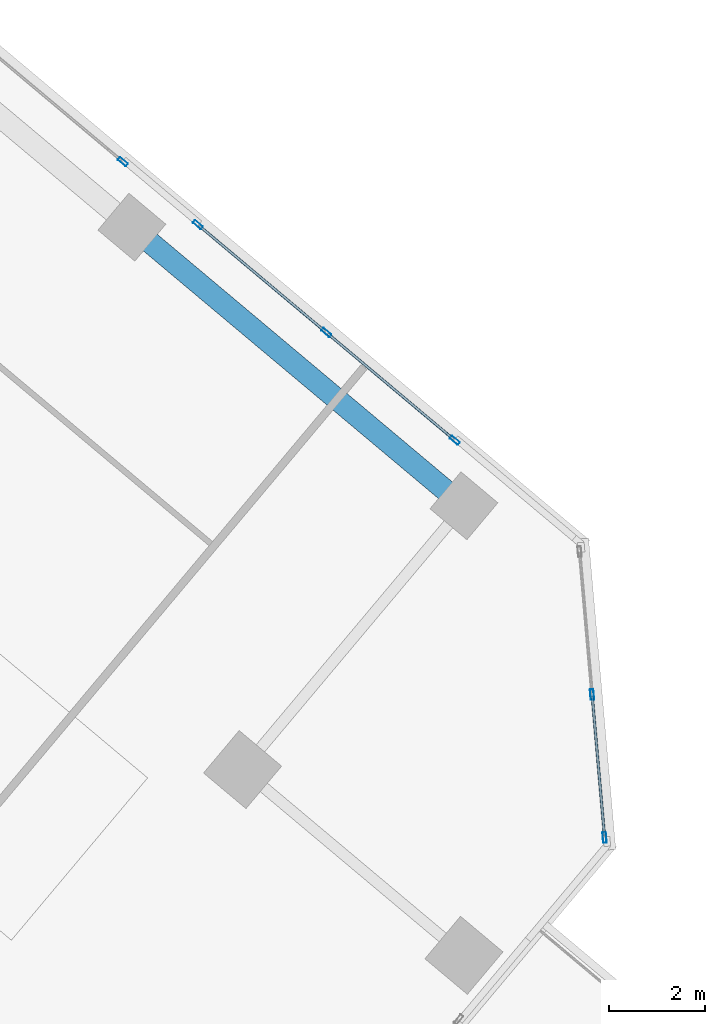
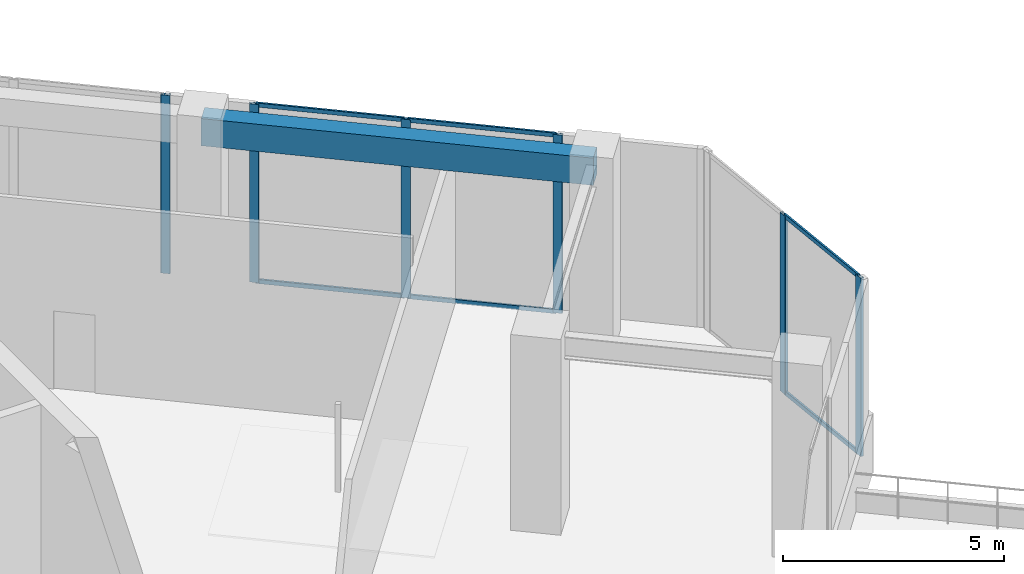
# One storey, part 7 of 17: 12 members, 1 beam, 3 elements without a shape of their own.
"""IFC4 building model written with IfcOpenShell, lengths in metres."""

from ifc_helpers import new_model, si_unit, direction, frame, origin, origin_2d, place, context, subcontext, project, spatial, rectangle, hollow_rectangle, extrude, source, transform, mapped, material, material_profile, profile_set, type_object, element, aggregate, save


model = new_model("IFC4")

# Units and contexts
model_context = context("Model", 3, precision=1e-05, world=origin(), true_north=direction((0.0, 1.0)))
body_context = subcontext(model_context, "Body", "Model", "MODEL_VIEW")
ifc_project = project(units=[si_unit("LENGTHUNIT", "METRE"), si_unit("AREAUNIT", "SQUARE_METRE"), si_unit("VOLUMEUNIT", "CUBIC_METRE"), si_unit("PLANEANGLEUNIT", "RADIAN"), si_unit("MASSUNIT", "GRAM", prefix="KILO")], contexts=[model_context])

# Site, building, storey
site_placement = place(None, origin())
site = spatial("IfcSite", under=ifc_project, at=site_placement, CompositionType="ELEMENT")
building_placement = place(site_placement, origin())
building = spatial("IfcBuilding", under=site, at=building_placement, Name="Torre Montelarca", CompositionType="ELEMENT")
storey_placement = place(building_placement, frame((0.0, 0.0, 215.199951171875)))
storey = spatial("IfcBuildingStorey", under=building, at=storey_placement, Name="L48", CompositionType="ELEMENT", Elevation=215.199951171875)

# Beam
ifc_material_1 = material(Name="Concrete C55/67", Category="concrete")
ifc_material_profile_1 = material_profile(ifc_material_1, rectangle(XDim=0.449951171875, YDim=0.75, at=origin_2d()), Name="RCB450X750", Category="concrete")
ifc_profile_set_1 = profile_set([ifc_material_profile_1], Name="Concrete C55/67")
beam_type = type_object("IfcBeamType", Name="BM-SP-RC750-EXT", PredefinedType="SPANDREL", material=ifc_profile_set_1)
shared_shape_1 = source(origin(), body_context, "Body", "SweptSolid", [
    extrude(rectangle(XDim=0.449951171875, YDim=0.75, at=origin_2d()), origin(), (0.0, 0.0, 1.0), 9.000244140625),
])
beam_placement = place(storey_placement, frame((35.451416015625, 40.0703125, 4.78515625), z_axis=(0.766046761698, -0.642784846501, 0.0), x_axis=(0.642784846501, 0.766046761698, 0.0)))
element("IfcBeam", 1, at=beam_placement, inside=storey, type_object=beam_type, Name="L48 Grid Girder X 27.0-36.0 at Y=47.1", PredefinedType="SPANDREL", context=body_context, shape_type="MappedRepresentation", body=[
    mapped(shared_shape_1, transform((0.0, 0.0, 0.0), scale=1.0)),
])

# Curtain wall, members
ifc_material_2 = material(Name="Insulated low-E laminated glass", Category="glass")
curtain_wall_type = type_object("IfcCurtainWallType", Name="CW-SYS-Z3", PredefinedType="USERDEFINED", material=ifc_material_2)
curtain_wall_1_placement = place(storey_placement, origin())
curtain_wall_1 = element("IfcCurtainWall", 2, at=curtain_wall_1_placement, inside=storey, type_object=curtain_wall_type, Name="L48 Curtain Wall Run CW-T3-L48-E07-B1", ObjectType="UNITISED GLAZING", PredefinedType="USERDEFINED")
ifc_material_3 = material(Name="Anodised aluminium AA 6063-T6", Category="aluminium")
ifc_material_profile_2 = material_profile(ifc_material_3, hollow_rectangle(XDim=0.074951171875, YDim=0.219970703125, WallThickness=0.0048828125, InnerFilletRadius=0.0048828125, OuterFilletRadius=0.010009765625, at=origin_2d()), Name="ALU75X220X5", Category="aluminium")
ifc_profile_set_2 = profile_set([ifc_material_profile_2], Name="Anodised aluminium AA 6063-T6")
member_type_1 = type_object("IfcMemberType", Name="CWM-ALU220", PredefinedType="MULLION", material=ifc_profile_set_2)
shared_shape_2 = source(origin(), body_context, "Body", "SweptSolid", [
    extrude(hollow_rectangle(XDim=0.074951171875, YDim=0.219970703125, WallThickness=0.0048828125, InnerFilletRadius=0.0048828125, OuterFilletRadius=0.010009765625, at=origin_2d()), origin(), (0.0, 0.0, 1.0), 4.920166015625),
])
member_1_placement = place(storey_placement, frame((45.266845703125, 27.3984375, 0.0), z_axis=(0.0, 0.0, 1.0), x_axis=(-0.996192349816, -0.087182579501, 0.0)))
member_1 = element("IfcMember", 3, at=member_1_placement, type_object=member_type_1, Name="CW mullion 1", PredefinedType="MULLION", context=body_context, shape_type="MappedRepresentation", body=[
    mapped(shared_shape_2, transform((0.0, 0.0, 0.0), scale=1.0)),
])
member_2_placement = place(storey_placement, frame((45.007080078125, 30.365478515625, 0.0), z_axis=(0.0, 0.0, 1.0), x_axis=(-0.996192349816, -0.087182579501, 0.0)))
member_2 = element("IfcMember", 4, at=member_2_placement, type_object=member_type_1, Name="CW mullion 2", PredefinedType="MULLION", context=body_context, shape_type="MappedRepresentation", body=[
    mapped(shared_shape_2, transform((0.0, 0.0, 0.0), scale=1.0)),
])

curtain_wall_2_placement = place(storey_placement, origin())
curtain_wall_2 = element("IfcCurtainWall", 5, at=curtain_wall_2_placement, inside=storey, type_object=curtain_wall_type, Name="L48 Curtain Wall Run CW-T3-L48-E08-B1", ObjectType="UNITISED GLAZING", PredefinedType="USERDEFINED")
member_3_placement = place(storey_placement, frame((42.15771484375, 35.643798828125, 0.0), z_axis=(0.0, 0.0, 1.0), x_axis=(-0.642789243392, -0.766043072274, 0.0)))
member_3 = element("IfcMember", 6, at=member_3_placement, type_object=member_type_1, Name="CW mullion 1", PredefinedType="MULLION", context=body_context, shape_type="MappedRepresentation", body=[
    mapped(shared_shape_2, transform((0.0, 0.0, 0.0), scale=1.0)),
])
member_4_placement = place(storey_placement, frame((39.489990234375, 37.88232421875, 0.0), z_axis=(0.0, 0.0, 1.0), x_axis=(-0.642789243392, -0.766043072274, 0.0)))
member_4 = element("IfcMember", 7, at=member_4_placement, type_object=member_type_1, Name="CW mullion 2", PredefinedType="MULLION", context=body_context, shape_type="MappedRepresentation", body=[
    mapped(shared_shape_2, transform((0.0, 0.0, 0.0), scale=1.0)),
])
member_5_placement = place(storey_placement, frame((36.822265625, 40.120849609375, 0.0), z_axis=(0.0, 0.0, 1.0), x_axis=(-0.642789243392, -0.766043072274, 0.0)))
member_5 = element("IfcMember", 8, at=member_5_placement, type_object=member_type_1, Name="CW mullion 3", PredefinedType="MULLION", context=body_context, shape_type="MappedRepresentation", body=[
    mapped(shared_shape_2, transform((0.0, 0.0, 0.0), scale=1.0)),
])

# Curtain wall, member
curtain_wall_3_placement = place(storey_placement, origin())
curtain_wall_3 = element("IfcCurtainWall", 9, at=curtain_wall_3_placement, inside=storey, type_object=curtain_wall_type, Name="L48 Curtain Wall Run CW-T3-L48-E08-B2", ObjectType="UNITISED GLAZING", PredefinedType="USERDEFINED")
member_6_placement = place(storey_placement, frame((35.263427734375, 41.428955078125, 0.0), z_axis=(0.0, 0.0, 1.0), x_axis=(-0.642789243392, -0.766043072274, 0.0)))
member_6 = element("IfcMember", 10, at=member_6_placement, type_object=member_type_1, Name="CW mullion 1", PredefinedType="MULLION", context=body_context, shape_type="MappedRepresentation", body=[
    mapped(shared_shape_2, transform((0.0, 0.0, 0.0), scale=1.0)),
])
aggregate(curtain_wall_3, [member_6])

# Member
ifc_material_profile_3 = material_profile(ifc_material_3, hollow_rectangle(XDim=0.054931640625, YDim=0.1201171875, WallThickness=0.00341796875, InnerFilletRadius=0.00341796875, OuterFilletRadius=0.007080078125, at=origin_2d()), Name="ALU55X120X3.5", Category="aluminium")
ifc_profile_set_3 = profile_set([ifc_material_profile_3], Name="Anodised aluminium AA 6063-T6")
member_type_2 = type_object("IfcMemberType", Name="CWT-ALU120", PredefinedType="USERDEFINED", material=ifc_profile_set_3)
shared_shape_3 = source(origin(), body_context, "Body", "SweptSolid", [
    extrude(hollow_rectangle(XDim=0.054931640625, YDim=0.1201171875, WallThickness=0.00341796875, InnerFilletRadius=0.00341796875, OuterFilletRadius=0.007080078125, at=origin_2d()), origin(), (0.0, 0.0, 1.0), 3.40771484375),
])
member_7_placement = place(storey_placement, frame((42.129150390625, 35.66796875, 0.027587890625), z_axis=(-0.766032210407, 0.642802187783, 0.0), x_axis=(-0.642802187783, -0.766032210407, 0.0)))
member_7 = element("IfcMember", 11, at=member_7_placement, type_object=member_type_2, Name="CW transom 1.1", ObjectType="TRANSOM", PredefinedType="USERDEFINED", context=body_context, shape_type="MappedRepresentation", body=[
    mapped(shared_shape_3, transform((0.0, 0.0, 0.0), scale=1.0)),
])

member_8_placement = place(storey_placement, frame((42.129150390625, 35.66796875, 4.892578125), z_axis=(-0.766032210407, 0.642802187783, 0.0), x_axis=(-0.642802187783, -0.766032210407, 0.0)))
member_8 = element("IfcMember", 12, at=member_8_placement, type_object=member_type_2, Name="CW transom 1.2", ObjectType="TRANSOM", PredefinedType="USERDEFINED", context=body_context, shape_type="MappedRepresentation", body=[
    mapped(shared_shape_3, transform((0.0, 0.0, 0.0), scale=1.0)),
])

shared_shape_4 = source(origin(), body_context, "Body", "SweptSolid", [
    extrude(hollow_rectangle(XDim=0.054931640625, YDim=0.1201171875, WallThickness=0.00341796875, InnerFilletRadius=0.00341796875, OuterFilletRadius=0.007080078125, at=origin_2d()), origin(), (0.0, 0.0, 1.0), 2.9033203125),
])
member_9_placement = place(storey_placement, frame((45.263671875, 27.435791015625, 0.027587890625), z_axis=(-0.08719928677, 0.996190887524, 0.0), x_axis=(-0.996190887524, -0.08719928677, 0.0)))
member_9 = element("IfcMember", 13, at=member_9_placement, type_object=member_type_2, Name="CW transom 1.1", ObjectType="TRANSOM", PredefinedType="USERDEFINED", context=body_context, shape_type="MappedRepresentation", body=[
    mapped(shared_shape_4, transform((0.0, 0.0, 0.0), scale=1.0)),
])

member_10_placement = place(storey_placement, frame((45.263671875, 27.435791015625, 4.892578125), z_axis=(-0.08719928677, 0.996190887524, 0.0), x_axis=(-0.996190887524, -0.08719928677, 0.0)))
member_10 = element("IfcMember", 14, at=member_10_placement, type_object=member_type_2, Name="CW transom 1.2", ObjectType="TRANSOM", PredefinedType="USERDEFINED", context=body_context, shape_type="MappedRepresentation", body=[
    mapped(shared_shape_4, transform((0.0, 0.0, 0.0), scale=1.0)),
])

aggregate(curtain_wall_1, [member_1, member_2, member_9, member_10])

shared_shape_5 = source(origin(), body_context, "Body", "SweptSolid", [
    extrude(hollow_rectangle(XDim=0.054931640625, YDim=0.1201171875, WallThickness=0.00341796875, InnerFilletRadius=0.00341796875, OuterFilletRadius=0.007080078125, at=origin_2d()), origin(), (0.0, 0.0, 1.0), 3.407470703125),
])
member_11_placement = place(storey_placement, frame((39.46142578125, 37.906494140625, 0.027587890625), z_axis=(-0.766067489569, 0.642760142997, 0.0), x_axis=(-0.642760142997, -0.766067489569, 0.0)))
member_11 = element("IfcMember", 15, at=member_11_placement, type_object=member_type_2, Name="CW transom 2.1", ObjectType="TRANSOM", PredefinedType="USERDEFINED", context=body_context, shape_type="MappedRepresentation", body=[
    mapped(shared_shape_5, transform((0.0, 0.0, 0.0), scale=1.0)),
])

member_12_placement = place(storey_placement, frame((39.46142578125, 37.906494140625, 4.892578125), z_axis=(-0.766067489569, 0.642760142997, 0.0), x_axis=(-0.642760142997, -0.766067489569, 0.0)))
member_12 = element("IfcMember", 16, at=member_12_placement, type_object=member_type_2, Name="CW transom 2.2", ObjectType="TRANSOM", PredefinedType="USERDEFINED", context=body_context, shape_type="MappedRepresentation", body=[
    mapped(shared_shape_5, transform((0.0, 0.0, 0.0), scale=1.0)),
])

aggregate(curtain_wall_2, [member_3, member_4, member_5, member_7, member_8, member_11, member_12])

save(model, "model.ifc")
